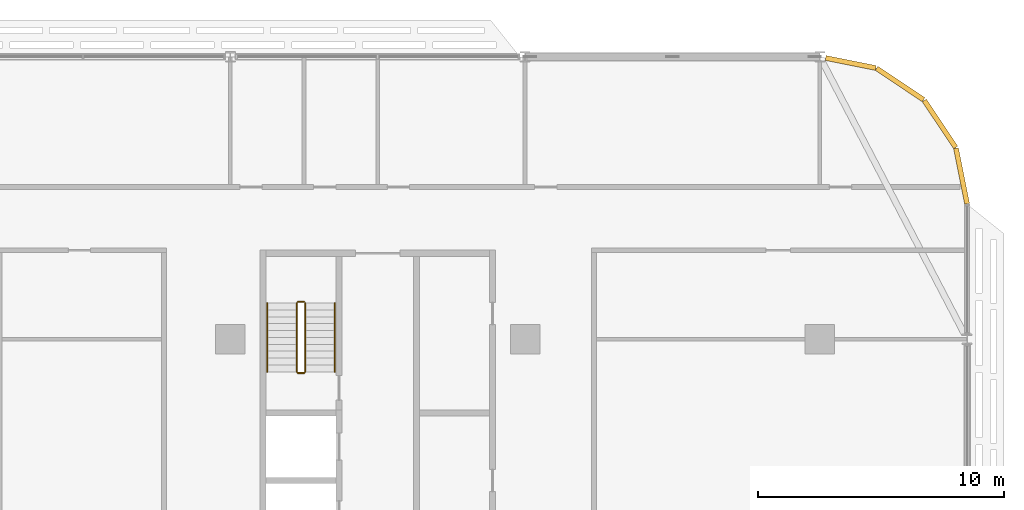
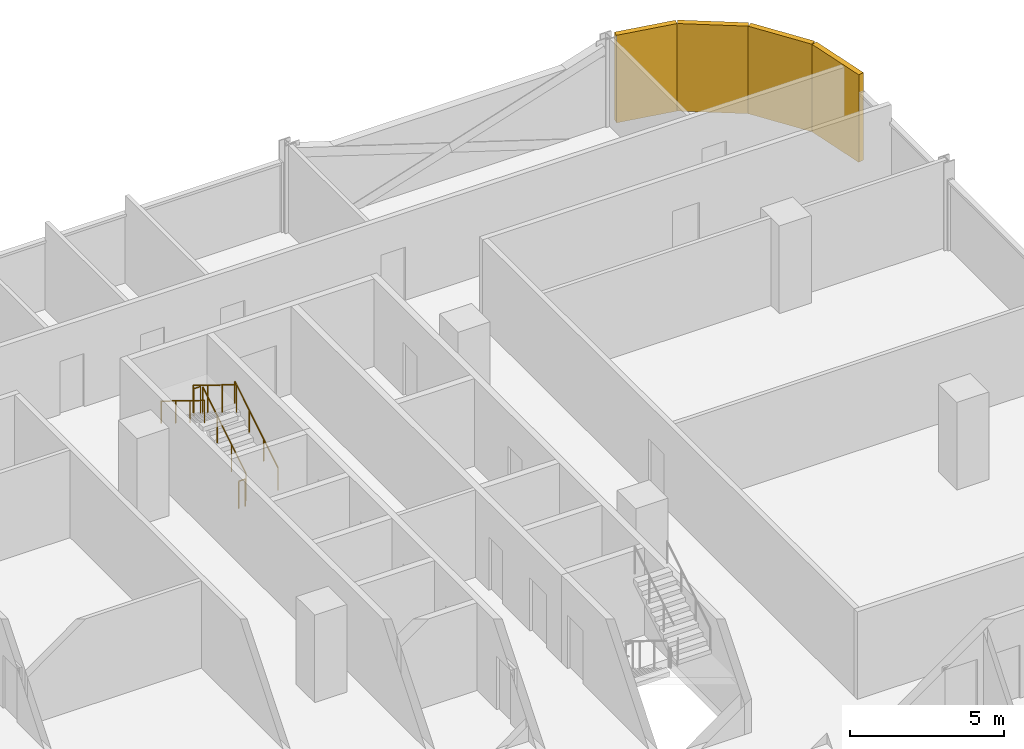
# One storey, part 27 of 27: 6 railings, 4 coverings.
"""IFC4 building model written with IfcOpenShell, lengths in metres."""

from ifc_helpers import new_model, si_unit, direction, frame, origin, origin_2d, place, context, subcontext, project, spatial, rectangle, circle, extrude, material, layer, layer_set, type_object, element, save


model = new_model("IFC4")

# Units and contexts
model_context = context("Model", 3, precision=1e-05, world=origin(), true_north=direction((0.0, 1.0)))
body_context = subcontext(model_context, "Body", "Model", "MODEL_VIEW")
ifc_project = project(units=[si_unit("LENGTHUNIT", "METRE"), si_unit("AREAUNIT", "SQUARE_METRE"), si_unit("VOLUMEUNIT", "CUBIC_METRE"), si_unit("PLANEANGLEUNIT", "RADIAN"), si_unit("MASSUNIT", "GRAM", prefix="KILO")], contexts=[model_context])

# Site, building, storey
site_placement = place(None, origin())
site = spatial("IfcSite", under=ifc_project, at=site_placement, CompositionType="ELEMENT")
building_placement = place(site_placement, origin())
building = spatial("IfcBuilding", under=site, at=building_placement, Name="Mahtab Terrace Research Tower", CompositionType="ELEMENT")
storey_placement = place(building_placement, frame((0.0, 0.0, 163.0)))
storey = spatial("IfcBuildingStorey", under=building, at=storey_placement, Name="L38", CompositionType="ELEMENT", Elevation=163.0)

# Coverings
ifc_material_1 = material(Name="Black aluminium cladding panel", Category="aluminium")
ifc_layer = layer(ifc_material_1, 0.199951171875)
ifc_layer_set = layer_set([ifc_layer], Name="Black metal corner cladding 200")
covering_type = type_object("IfcCoveringType", Name="Black metal corner cladding 200", PredefinedType="CLADDING", material=ifc_layer_set)
for number, where, z_axis, x_axis, name in (
    (1, (46.89306640625, 20.26953125, 0.0), (0.0, 0.0, 1.0), (-0.555291490808, 0.831655794326, 0.0), "Corner cladding L38 0"),
    (2, (45.26953125, 21.89306640625, 0.0), (0.0, 0.0, 1.0), (-0.831655794326, 0.555291490808, 0.0), "Corner cladding L38 1"),
):
    element("IfcCovering", number, at=place(storey_placement, frame(where, z_axis=z_axis, x_axis=x_axis)), inside=storey, type_object=covering_type, Name=name, PredefinedType="CLADDING", context=body_context, shape_type="SweptSolid", body=[
        extrude(rectangle(XDim=2.30126953125, YDim=0.199951171875, at=origin_2d()), origin(), (0.0, 0.0, 1.0), 3.4599609375),
    ])
covering_1_placement = place(storey_placement, frame((43.25830078125, 22.74951171875, 0.0), z_axis=(0.0, 0.0, 1.0), x_axis=(-0.980760981187, 0.195212442692, 0.0)))
element("IfcCovering", 3, at=covering_1_placement, inside=storey, type_object=covering_type, Name="Corner cladding L38 2", PredefinedType="CLADDING", context=body_context, shape_type="SweptSolid", body=[
    extrude(rectangle(XDim=2.07666015625, YDim=0.199951171875, at=origin_2d()), origin(), (0.0, 0.0, 1.0), 3.4599609375),
])
covering_2_placement = place(storey_placement, frame((47.771484375, 18.14794921875, 0.0), z_axis=(0.0, 0.0, 1.0), x_axis=(-0.195212442692, 0.980760981187, 0.0)))
element("IfcCovering", 4, at=covering_2_placement, inside=storey, type_object=covering_type, Name="Corner cladding L38 38", PredefinedType="CLADDING", context=body_context, shape_type="SweptSolid", body=[
    extrude(rectangle(XDim=2.30126953125, YDim=0.199951171875, at=origin_2d()), origin(), (0.0, 0.0, 1.0), 3.4599609375),
])

# Railings
ifc_material_2 = material(Name="Stainless steel AISI 304", Category="steel")
railing_type_1 = type_object("IfcRailingType", Name="Stair guard 1100", PredefinedType="GUARDRAIL", material=ifc_material_2)
railing_1_placement = place(storey_placement, frame((21.050048828125, 10.175048828125, 0.172607421875)))
element("IfcRailing", 5, at=railing_1_placement, inside=storey, type_object=railing_type_1, Name="L38 ST3 stair guard 1", PredefinedType="GUARDRAIL", context=body_context, shape_type="SweptSolid", body=[
    extrude(circle(Radius=0.02392578125, at=origin_2d()), frame((0.0, 0.0, 1.076171875), z_axis=(0.0, 0.851089632645, 0.525020415988), x_axis=(-1.0, 0.0, 0.0)), (0.0, 0.0, 1.0), 3.2900390625),
    extrude(circle(Radius=0.02099609375, at=origin_2d()), origin(), (0.0, 0.0, 1.0), 1.052001953125),
    extrude(circle(Radius=0.02099609375, at=origin_2d()), frame((0.0, 0.933349609375, 0.57568359375)), (0.0, 0.0, 1.0), 1.052001953125),
    extrude(circle(Radius=0.02099609375, at=origin_2d()), frame((0.0, 1.86669921875, 1.151611328125)), (0.0, 0.0, 1.0), 1.052001953125),
    extrude(circle(Radius=0.02099609375, at=origin_2d()), frame((0.0, 2.800048828125, 1.727294921875)), (0.0, 0.0, 1.0), 1.052001953125),
])
railing_2_placement = place(storey_placement, frame((21.0, 13.02490234375, 1.89990234375)))
element("IfcRailing", 6, at=railing_2_placement, inside=storey, type_object=railing_type_1, Name="L38 ST3 stair guard 2", PredefinedType="GUARDRAIL", context=body_context, shape_type="SweptSolid", body=[
    extrude(circle(Radius=0.02392578125, at=origin_2d()), frame((0.0, 0.0, 1.076171875), z_axis=(-1.0, 0.0, 0.0), x_axis=(0.0, -1.0, 0.0)), (0.0, 0.0, 1.0), 0.25),
    extrude(circle(Radius=0.02099609375, at=origin_2d()), origin(), (0.0, 0.0, 1.0), 1.052001953125),
    extrude(circle(Radius=0.02099609375, at=origin_2d()), frame((-0.25, 0.0, 0.0)), (0.0, 0.0, 1.0), 1.052001953125),
])
railing_3_placement = place(storey_placement, frame((20.699951171875, 12.97509765625, 2.07275390625)))
element("IfcRailing", 7, at=railing_3_placement, inside=storey, type_object=railing_type_1, Name="L38 ST3 stair guard 3", PredefinedType="GUARDRAIL", context=body_context, shape_type="SweptSolid", body=[
    extrude(circle(Radius=0.02392578125, at=origin_2d()), frame((0.0, 0.0, 1.076171875), z_axis=(0.0, -0.851089632645, 0.525020415988), x_axis=(1.0, 0.0, 0.0)), (0.0, 0.0, 1.0), 3.2900390625),
    extrude(circle(Radius=0.02099609375, at=origin_2d()), origin(), (0.0, 0.0, 1.0), 1.052001953125),
    extrude(circle(Radius=0.02099609375, at=origin_2d()), frame((0.0, -0.933349609375, 0.57568359375)), (0.0, 0.0, 1.0), 1.052001953125),
    extrude(circle(Radius=0.02099609375, at=origin_2d()), frame((0.0, -1.86669921875, 1.151611328125)), (0.0, 0.0, 1.0), 1.052001953125),
    extrude(circle(Radius=0.02099609375, at=origin_2d()), frame((0.0, -2.800048828125, 1.727294921875)), (0.0, 0.0, 1.0), 1.052001953125),
])
railing_4_placement = place(storey_placement, frame((21.0, 10.125, 0.0)))
element("IfcRailing", 8, at=railing_4_placement, inside=storey, type_object=railing_type_1, Name="L38 ST3 stair guard 4", PredefinedType="GUARDRAIL", context=body_context, shape_type="SweptSolid", body=[
    extrude(circle(Radius=0.02392578125, at=origin_2d()), frame((0.0, 0.0, 1.076171875), z_axis=(-1.0, 0.0, 0.0), x_axis=(0.0, -1.0, 0.0)), (0.0, 0.0, 1.0), 0.25),
    extrude(circle(Radius=0.02099609375, at=origin_2d()), origin(), (0.0, 0.0, 1.0), 1.052001953125),
    extrude(circle(Radius=0.02099609375, at=origin_2d()), frame((-0.25, 0.0, 0.0)), (0.0, 0.0, 1.0), 1.052001953125),
])
railing_type_2 = type_object("IfcRailingType", Name="Stair handrail 900", PredefinedType="HANDRAIL", material=ifc_material_2)
railing_5_placement = place(storey_placement, frame((22.25, 10.175048828125, 0.172607421875)))
element("IfcRailing", 9, at=railing_5_placement, inside=storey, type_object=railing_type_2, Name="L38 ST3 stair handrail 1", PredefinedType="HANDRAIL", context=body_context, shape_type="SweptSolid", body=[
    extrude(circle(Radius=0.02392578125, at=origin_2d()), frame((0.0, 0.0, 0.8759765625), z_axis=(0.0, 0.851089632645, 0.525020415988), x_axis=(-1.0, 0.0, 0.0)), (0.0, 0.0, 1.0), 3.2900390625),
    extrude(circle(Radius=0.02099609375, at=origin_2d()), origin(), (0.0, 0.0, 1.0), 0.851806640625),
    extrude(circle(Radius=0.02099609375, at=origin_2d()), frame((0.0, 0.933349609375, 0.57568359375)), (0.0, 0.0, 1.0), 0.851806640625),
    extrude(circle(Radius=0.02099609375, at=origin_2d()), frame((0.0, 1.86669921875, 1.151611328125)), (0.0, 0.0, 1.0), 0.851806640625),
    extrude(circle(Radius=0.02099609375, at=origin_2d()), frame((0.0, 2.800048828125, 1.727294921875)), (0.0, 0.0, 1.0), 0.851806640625),
])
railing_6_placement = place(storey_placement, frame((19.5, 12.97509765625, 2.07275390625)))
element("IfcRailing", 10, at=railing_6_placement, inside=storey, type_object=railing_type_2, Name="L38 ST3 stair handrail 2", PredefinedType="HANDRAIL", context=body_context, shape_type="SweptSolid", body=[
    extrude(circle(Radius=0.02392578125, at=origin_2d()), frame((0.0, 0.0, 0.8759765625), z_axis=(0.0, -0.851089632645, 0.525020415988), x_axis=(1.0, 0.0, 0.0)), (0.0, 0.0, 1.0), 3.2900390625),
    extrude(circle(Radius=0.02099609375, at=origin_2d()), origin(), (0.0, 0.0, 1.0), 0.851806640625),
    extrude(circle(Radius=0.02099609375, at=origin_2d()), frame((0.0, -0.933349609375, 0.57568359375)), (0.0, 0.0, 1.0), 0.851806640625),
    extrude(circle(Radius=0.02099609375, at=origin_2d()), frame((0.0, -1.86669921875, 1.151611328125)), (0.0, 0.0, 1.0), 0.851806640625),
    extrude(circle(Radius=0.02099609375, at=origin_2d()), frame((0.0, -2.800048828125, 1.727294921875)), (0.0, 0.0, 1.0), 0.851806640625),
])

save(model, "model.ifc")
